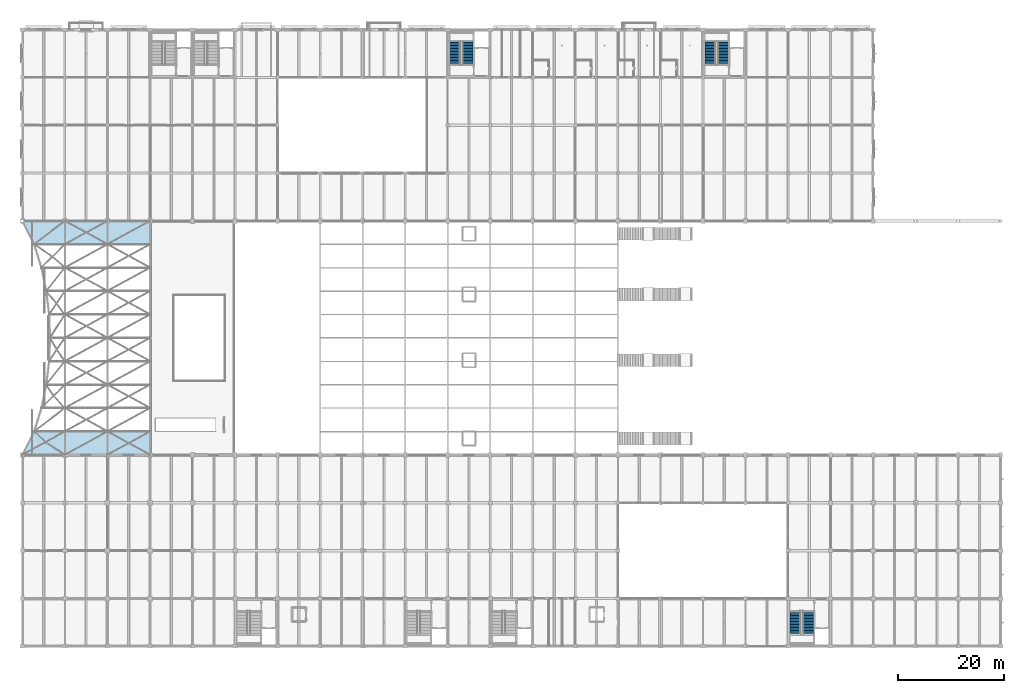
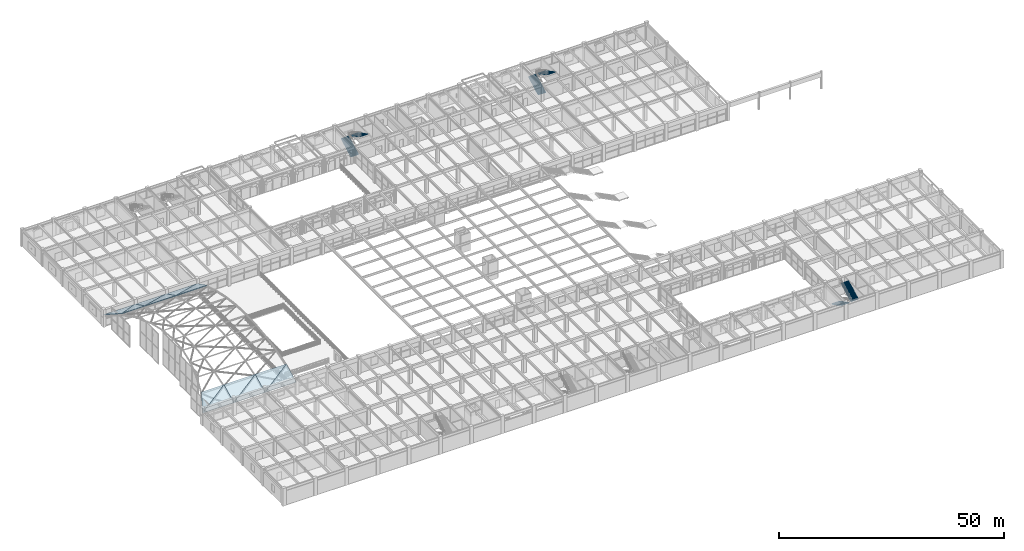
# One storey, part 115 of 144: 12 roofs, 6 stair flights, 3 elements without a shape of their own.
"""IFC4 building model written with IfcOpenShell, lengths in metres."""

from ifc_helpers import new_model, si_unit, direction, frame, origin, place, context, subcontext, project, spatial, polyline, outline, extrude, material, layer, layer_set, type_object, element, aggregate, save


model = new_model("IFC4")

# Units and contexts
model_context = context("Model", 3, precision=1e-05, world=origin(), true_north=direction((0.0, 1.0)))
body_context = subcontext(model_context, "Body", "Model", "MODEL_VIEW")
ifc_project = project(units=[si_unit("LENGTHUNIT", "METRE"), si_unit("AREAUNIT", "SQUARE_METRE"), si_unit("VOLUMEUNIT", "CUBIC_METRE"), si_unit("PLANEANGLEUNIT", "RADIAN"), si_unit("MASSUNIT", "GRAM", prefix="KILO")], contexts=[model_context])

# Site, building, storey
site_placement = place(None, origin())
site = spatial("IfcSite", under=ifc_project, at=site_placement, CompositionType="ELEMENT")
building_placement = place(site_placement, origin())
building = spatial("IfcBuilding", under=site, at=building_placement, Name="Varnabhumi Central Station", CompositionType="ELEMENT")
storey_placement = place(building_placement, frame((0.0, 0.0, 4.800048828125)))
storey = spatial("IfcBuildingStorey", under=building, at=storey_placement, Name="L01", CompositionType="ELEMENT", Elevation=4.800048828125)

# Stair, stair flights
ifc_material_1 = material(Name="Concrete M40", Category="concrete")
stair_type = type_object("IfcStairType", Name="STR-CORE-4800", PredefinedType="DOUBLE_RETURN_STAIR", material=ifc_material_1)
stair_1_placement = place(storey_placement, origin())
stair_1 = element("IfcStair", 1, at=stair_1_placement, inside=storey, type_object=stair_type, Name="Core Stair ST-N2 (L01)", PredefinedType="DOUBLE_RETURN_STAIR")
stair_flight_type = type_object("IfcStairFlightType", Name="FLT-CORE-1500", PredefinedType="STRAIGHT", material=ifc_material_1)
stair_flight_1_placement = place(storey_placement, frame((81.35009765625, 109.340087890625, 0.0), z_axis=(0.0, 0.0, 1.0), x_axis=(0.0, 1.0, 0.0)))
stair_flight_1 = element("IfcStairFlight", 2, at=stair_flight_1_placement, type_object=stair_flight_type, Name="ST-N2 L01 Lower Flight", NumberOfRisers=16, NumberOfTreads=15, PredefinedType="STRAIGHT", RiserHeight=0.15, TreadLength=0.285, context=body_context, shape_type="SweptSolid", body=[
    extrude(outline(polyline([(-0.06005859375, -0.080078125), (-0.06005859375, 0.0), (0.0, 0.0), (0.0, 0.14990234375), (0.284912109375, 0.14990234375), (0.284912109375, 0.300048828125), (0.570068359375, 0.300048828125), (0.570068359375, 0.449951171875), (0.85498046875, 0.449951171875), (0.85498046875, 0.60009765625), (1.139892578125, 0.60009765625), (1.139892578125, 0.75), (1.425048828125, 0.75), (1.425048828125, 0.89990234375), (1.7099609375, 0.89990234375), (1.7099609375, 1.050048828125), (1.9951171875, 1.050048828125), (1.9951171875, 1.199951171875), (2.280029296875, 1.199951171875), (2.280029296875, 1.35009765625), (2.56494140625, 1.35009765625), (2.56494140625, 1.5), (2.85009765625, 1.5), (2.85009765625, 1.64990234375), (3.135009765625, 1.64990234375), (3.135009765625, 1.800048828125), (3.419921875, 1.800048828125), (3.419921875, 1.949951171875), (3.705078125, 1.949951171875), (3.705078125, 2.10009765625), (3.989990234375, 2.10009765625), (3.989990234375, 2.25), (4.27490234375, 2.25), (4.27490234375, 2.39990234375), (4.3349609375, 2.39990234375), (4.3349609375, 2.239990234375), (4.27490234375, 2.0693359375), (0.34326171875, -0.080078125), (-0.06005859375, -0.080078125)])), frame((0.0, 1.0, 0.0), z_axis=(0.0, -1.0, 0.0), x_axis=(1.0, 0.0, 0.0)), (0.0, 0.0, 1.0), 2.0),
])
stair_flight_2_placement = place(storey_placement, frame((83.75, 113.614990234375, 2.39990234375), z_axis=(0.0, 0.0, 1.0), x_axis=(0.0, -1.0, 0.0)))
stair_flight_2 = element("IfcStairFlight", 3, at=stair_flight_2_placement, type_object=stair_flight_type, Name="ST-N2 L01 Upper Flight", NumberOfRisers=16, NumberOfTreads=15, PredefinedType="STRAIGHT", RiserHeight=0.15, TreadLength=0.285, context=body_context, shape_type="SweptSolid", body=[
    extrude(outline(polyline([(-0.06005859375, -0.080078125), (-0.06005859375, 0.0), (0.0, 0.0), (0.0, 0.14990234375), (0.284912109375, 0.14990234375), (0.284912109375, 0.300048828125), (0.570068359375, 0.300048828125), (0.570068359375, 0.449951171875), (0.85498046875, 0.449951171875), (0.85498046875, 0.60009765625), (1.139892578125, 0.60009765625), (1.139892578125, 0.75), (1.425048828125, 0.75), (1.425048828125, 0.89990234375), (1.7099609375, 0.89990234375), (1.7099609375, 1.050048828125), (1.9951171875, 1.050048828125), (1.9951171875, 1.199951171875), (2.280029296875, 1.199951171875), (2.280029296875, 1.35009765625), (2.56494140625, 1.35009765625), (2.56494140625, 1.5), (2.85009765625, 1.5), (2.85009765625, 1.64990234375), (3.135009765625, 1.64990234375), (3.135009765625, 1.800048828125), (3.419921875, 1.800048828125), (3.419921875, 1.949951171875), (3.705078125, 1.949951171875), (3.705078125, 2.10009765625), (3.989990234375, 2.10009765625), (3.989990234375, 2.25), (4.27490234375, 2.25), (4.27490234375, 2.39990234375), (4.3349609375, 2.39990234375), (4.3349609375, 2.239990234375), (4.27490234375, 2.0693359375), (0.34326171875, -0.080078125), (-0.06005859375, -0.080078125)])), frame((0.0, 1.0, 0.0), z_axis=(0.0, -1.0, 0.0), x_axis=(1.0, 0.0, 0.0)), (0.0, 0.0, 1.0), 2.0),
])
aggregate(stair_1, [stair_flight_1, stair_flight_2])

stair_2_placement = place(storey_placement, origin())
stair_2 = element("IfcStair", 4, at=stair_2_placement, inside=storey, type_object=stair_type, Name="Core Stair ST-N3 (L01)", PredefinedType="DOUBLE_RETURN_STAIR")
stair_flight_3_placement = place(storey_placement, frame((129.35009765625, 109.340087890625, 0.0), z_axis=(0.0, 0.0, 1.0), x_axis=(0.0, 1.0, 0.0)))
stair_flight_3 = element("IfcStairFlight", 5, at=stair_flight_3_placement, type_object=stair_flight_type, Name="ST-N3 L01 Lower Flight", NumberOfRisers=16, NumberOfTreads=15, PredefinedType="STRAIGHT", RiserHeight=0.15, TreadLength=0.285, context=body_context, shape_type="SweptSolid", body=[
    extrude(outline(polyline([(-0.06005859375, -0.080078125), (-0.06005859375, 0.0), (0.0, 0.0), (0.0, 0.14990234375), (0.284912109375, 0.14990234375), (0.284912109375, 0.300048828125), (0.570068359375, 0.300048828125), (0.570068359375, 0.449951171875), (0.85498046875, 0.449951171875), (0.85498046875, 0.60009765625), (1.139892578125, 0.60009765625), (1.139892578125, 0.75), (1.425048828125, 0.75), (1.425048828125, 0.89990234375), (1.7099609375, 0.89990234375), (1.7099609375, 1.050048828125), (1.9951171875, 1.050048828125), (1.9951171875, 1.199951171875), (2.280029296875, 1.199951171875), (2.280029296875, 1.35009765625), (2.56494140625, 1.35009765625), (2.56494140625, 1.5), (2.85009765625, 1.5), (2.85009765625, 1.64990234375), (3.135009765625, 1.64990234375), (3.135009765625, 1.800048828125), (3.419921875, 1.800048828125), (3.419921875, 1.949951171875), (3.705078125, 1.949951171875), (3.705078125, 2.10009765625), (3.989990234375, 2.10009765625), (3.989990234375, 2.25), (4.27490234375, 2.25), (4.27490234375, 2.39990234375), (4.3349609375, 2.39990234375), (4.3349609375, 2.239990234375), (4.27490234375, 2.0693359375), (0.34326171875, -0.080078125), (-0.06005859375, -0.080078125)])), frame((0.0, 1.0, 0.0), z_axis=(0.0, -1.0, 0.0), x_axis=(1.0, 0.0, 0.0)), (0.0, 0.0, 1.0), 2.0),
])
stair_flight_4_placement = place(storey_placement, frame((131.75, 113.614990234375, 2.39990234375), z_axis=(0.0, 0.0, 1.0), x_axis=(0.0, -1.0, 0.0)))
stair_flight_4 = element("IfcStairFlight", 6, at=stair_flight_4_placement, type_object=stair_flight_type, Name="ST-N3 L01 Upper Flight", NumberOfRisers=16, NumberOfTreads=15, PredefinedType="STRAIGHT", RiserHeight=0.15, TreadLength=0.285, context=body_context, shape_type="SweptSolid", body=[
    extrude(outline(polyline([(-0.06005859375, -0.080078125), (-0.06005859375, 0.0), (0.0, 0.0), (0.0, 0.14990234375), (0.284912109375, 0.14990234375), (0.284912109375, 0.300048828125), (0.570068359375, 0.300048828125), (0.570068359375, 0.449951171875), (0.85498046875, 0.449951171875), (0.85498046875, 0.60009765625), (1.139892578125, 0.60009765625), (1.139892578125, 0.75), (1.425048828125, 0.75), (1.425048828125, 0.89990234375), (1.7099609375, 0.89990234375), (1.7099609375, 1.050048828125), (1.9951171875, 1.050048828125), (1.9951171875, 1.199951171875), (2.280029296875, 1.199951171875), (2.280029296875, 1.35009765625), (2.56494140625, 1.35009765625), (2.56494140625, 1.5), (2.85009765625, 1.5), (2.85009765625, 1.64990234375), (3.135009765625, 1.64990234375), (3.135009765625, 1.800048828125), (3.419921875, 1.800048828125), (3.419921875, 1.949951171875), (3.705078125, 1.949951171875), (3.705078125, 2.10009765625), (3.989990234375, 2.10009765625), (3.989990234375, 2.25), (4.27490234375, 2.25), (4.27490234375, 2.39990234375), (4.3349609375, 2.39990234375), (4.3349609375, 2.239990234375), (4.27490234375, 2.0693359375), (0.34326171875, -0.080078125), (-0.06005859375, -0.080078125)])), frame((0.0, 1.0, 0.0), z_axis=(0.0, -1.0, 0.0), x_axis=(1.0, 0.0, 0.0)), (0.0, 0.0, 1.0), 2.0),
])
aggregate(stair_2, [stair_flight_3, stair_flight_4])

stair_3_placement = place(storey_placement, origin())
stair_3 = element("IfcStair", 7, at=stair_3_placement, inside=storey, type_object=stair_type, Name="Core Stair ST-S3 (L01)", PredefinedType="DOUBLE_RETURN_STAIR")
stair_flight_5_placement = place(storey_placement, frame((145.35009765625, 6.659912109375, 0.0), z_axis=(0.0, 0.0, 1.0), x_axis=(0.0, -1.0, 0.0)))
stair_flight_5 = element("IfcStairFlight", 8, at=stair_flight_5_placement, type_object=stair_flight_type, Name="ST-S3 L01 Lower Flight", NumberOfRisers=16, NumberOfTreads=15, PredefinedType="STRAIGHT", RiserHeight=0.15, TreadLength=0.285, context=body_context, shape_type="SweptSolid", body=[
    extrude(outline(polyline([(-0.06005859375, -0.080078125), (-0.06005859375, 0.0), (0.0, 0.0), (0.0, 0.14990234375), (0.284912109375, 0.14990234375), (0.284912109375, 0.300048828125), (0.570068359375, 0.300048828125), (0.570068359375, 0.449951171875), (0.85498046875, 0.449951171875), (0.85498046875, 0.60009765625), (1.139892578125, 0.60009765625), (1.139892578125, 0.75), (1.425048828125, 0.75), (1.425048828125, 0.89990234375), (1.7099609375, 0.89990234375), (1.7099609375, 1.050048828125), (1.9951171875, 1.050048828125), (1.9951171875, 1.199951171875), (2.280029296875, 1.199951171875), (2.280029296875, 1.35009765625), (2.56494140625, 1.35009765625), (2.56494140625, 1.5), (2.85009765625, 1.5), (2.85009765625, 1.64990234375), (3.135009765625, 1.64990234375), (3.135009765625, 1.800048828125), (3.419921875, 1.800048828125), (3.419921875, 1.949951171875), (3.705078125, 1.949951171875), (3.705078125, 2.10009765625), (3.989990234375, 2.10009765625), (3.989990234375, 2.25), (4.27490234375, 2.25), (4.27490234375, 2.39990234375), (4.3349609375, 2.39990234375), (4.3349609375, 2.239990234375), (4.27490234375, 2.0693359375), (0.34326171875, -0.080078125), (-0.06005859375, -0.080078125)])), frame((0.0, 1.0, 0.0), z_axis=(0.0, -1.0, 0.0), x_axis=(1.0, 0.0, 0.0)), (0.0, 0.0, 1.0), 2.0),
])
stair_flight_6_placement = place(storey_placement, frame((147.75, 2.385009765625, 2.39990234375), z_axis=(0.0, 0.0, 1.0), x_axis=(0.0, 1.0, 0.0)))
stair_flight_6 = element("IfcStairFlight", 9, at=stair_flight_6_placement, type_object=stair_flight_type, Name="ST-S3 L01 Upper Flight", NumberOfRisers=16, NumberOfTreads=15, PredefinedType="STRAIGHT", RiserHeight=0.15, TreadLength=0.285, context=body_context, shape_type="SweptSolid", body=[
    extrude(outline(polyline([(-0.06005859375, -0.080078125), (-0.06005859375, 0.0), (0.0, 0.0), (0.0, 0.14990234375), (0.284912109375, 0.14990234375), (0.284912109375, 0.300048828125), (0.570068359375, 0.300048828125), (0.570068359375, 0.449951171875), (0.85498046875, 0.449951171875), (0.85498046875, 0.60009765625), (1.139892578125, 0.60009765625), (1.139892578125, 0.75), (1.425048828125, 0.75), (1.425048828125, 0.89990234375), (1.7099609375, 0.89990234375), (1.7099609375, 1.050048828125), (1.9951171875, 1.050048828125), (1.9951171875, 1.199951171875), (2.280029296875, 1.199951171875), (2.280029296875, 1.35009765625), (2.56494140625, 1.35009765625), (2.56494140625, 1.5), (2.85009765625, 1.5), (2.85009765625, 1.64990234375), (3.135009765625, 1.64990234375), (3.135009765625, 1.800048828125), (3.419921875, 1.800048828125), (3.419921875, 1.949951171875), (3.705078125, 1.949951171875), (3.705078125, 2.10009765625), (3.989990234375, 2.10009765625), (3.989990234375, 2.25), (4.27490234375, 2.25), (4.27490234375, 2.39990234375), (4.3349609375, 2.39990234375), (4.3349609375, 2.239990234375), (4.27490234375, 2.0693359375), (0.34326171875, -0.080078125), (-0.06005859375, -0.080078125)])), frame((0.0, 1.0, 0.0), z_axis=(0.0, -1.0, 0.0), x_axis=(1.0, 0.0, 0.0)), (0.0, 0.0, 1.0), 2.0),
])
aggregate(stair_3, [stair_flight_5, stair_flight_6])

# Roofs
ifc_material_2 = material(Name="Champagne bronze diamond metal panel")
ifc_layer = layer(ifc_material_2, 0.159912109375, Name="Champagne bronze diamond metal panel")
ifc_layer_set = layer_set([ifc_layer], Name="Champagne bronze diamond metal panel")
roof_type = type_object("IfcRoofType", Name="ROOF-VAULT-BARREL", PredefinedType="BARREL_ROOF", material=ifc_layer_set)
roof_1_placement = place(storey_placement, frame((0.0, 36.0, 3.191162109375), z_axis=(0.0, -0.449472417037, 0.893294210393), x_axis=(1.0, 0.0, 0.0)))
element("IfcRoof", 10, at=roof_1_placement, inside=storey, type_object=roof_type, Name="Forecourt Arrival Canopy Vault Diamond Shell Panel 1-1A", PredefinedType="BARREL_ROOF", context=body_context, shape_type="SweptSolid", body=[
    extrude(outline(polyline([(0.0, 0.0), (8.0, 0.0), (8.0, 4.925479525734109), (0.0, 0.0)])), origin(), (0.0, 0.0, -1.0), 0.159912109375),
])
roof_2_placement = place(storey_placement, frame((0.0, 36.0, 3.191162109375), z_axis=(0.0, -0.449472417037, 0.893294210393), x_axis=(0.851544146337, 0.468338885659, 0.235650705535)))
element("IfcRoof", 11, at=roof_2_placement, inside=storey, type_object=roof_type, Name="Forecourt Arrival Canopy Vault Diamond Shell Panel 1-1B", PredefinedType="BARREL_ROOF", context=body_context, shape_type="SweptSolid", body=[
    extrude(outline(polyline([(0.0, 0.0), (9.394697896070204, 4.440892098500626e-16), (4.4675503696593015, 3.0335705327010447), (0.0, 0.0)])), origin(), (0.0, 0.0, -1.0), 0.159912109375),
])
roof_3_placement = place(storey_placement, frame((2.2138671875, 75.60009765625, 5.405029296875), z_axis=(0.0, 0.449472417037, 0.893294210393), x_axis=(1.0, 0.0, 0.0)))
element("IfcRoof", 12, at=roof_3_placement, inside=storey, type_object=roof_type, Name="Forecourt Arrival Canopy Vault Diamond Shell Panel 1-10A", PredefinedType="BARREL_ROOF", context=body_context, shape_type="SweptSolid", body=[
    extrude(outline(polyline([(0.0, 0.0), (5.7861328125, 0.0), (5.7861328125, 4.925479525734109), (0.0, 0.0)])), origin(), (0.0, 0.0, -1.0), 0.159912109375),
])
roof_4_placement = place(storey_placement, frame((2.2138671875, 75.60009765625, 5.405029296875), z_axis=(0.0, 0.449472417037, 0.893294210393), x_axis=(0.761467209105, 0.579036373101, -0.291349563383)))
element("IfcRoof", 13, at=roof_4_placement, inside=storey, type_object=roof_type, Name="Forecourt Arrival Canopy Vault Diamond Shell Panel 1-10B", PredefinedType="BARREL_ROOF", context=body_context, shape_type="SweptSolid", body=[
    extrude(outline(polyline([(0.0, 0.0), (7.598663137836488, 2.220446049250313e-16), (1.506925464993743, 5.185627457238753), (0.0, 0.0)])), origin(), (0.0, 0.0, -1.0), 0.159912109375),
])
roof_5_placement = place(storey_placement, frame((8.0, 36.0, 3.191162109375), z_axis=(0.0, -0.449472417037, 0.893294210393), x_axis=(1.0, 0.0, 0.0)))
element("IfcRoof", 14, at=roof_5_placement, inside=storey, type_object=roof_type, Name="Forecourt Arrival Canopy Vault Diamond Shell Panel 2-1A", PredefinedType="BARREL_ROOF", context=body_context, shape_type="SweptSolid", body=[
    extrude(outline(polyline([(0.0, 0.0), (8.0, 0.0), (8.0, 4.925479525734109), (0.0, 0.0)])), origin(), (0.0, 0.0, -1.0), 0.159912109375),
])
roof_6_placement = place(storey_placement, frame((8.0, 36.0, 3.191162109375), z_axis=(0.0, -0.449472417037, 0.893294210393), x_axis=(0.851544146337, 0.468338885659, 0.235650705535)))
element("IfcRoof", 15, at=roof_6_placement, inside=storey, type_object=roof_type, Name="Forecourt Arrival Canopy Vault Diamond Shell Panel 2-1B", PredefinedType="BARREL_ROOF", context=body_context, shape_type="SweptSolid", body=[
    extrude(outline(polyline([(0.0, 0.0), (9.394697896070204, 4.440892098500626e-16), (2.582344725376853, 4.194263258039992), (0.0, 0.0)])), origin(), (0.0, 0.0, -1.0), 0.159912109375),
])
roof_7_placement = place(storey_placement, frame((8.0, 75.60009765625, 5.405029296875), z_axis=(0.0, 0.449472417037, 0.893294210393), x_axis=(1.0, 0.0, 0.0)))
element("IfcRoof", 16, at=roof_7_placement, inside=storey, type_object=roof_type, Name="Forecourt Arrival Canopy Vault Diamond Shell Panel 2-10A", PredefinedType="BARREL_ROOF", context=body_context, shape_type="SweptSolid", body=[
    extrude(outline(polyline([(0.0, 0.0), (8.0, 0.0), (8.0, 4.925479525734109), (0.0, 0.0)])), origin(), (0.0, 0.0, -1.0), 0.159912109375),
])
roof_8_placement = place(storey_placement, frame((8.0, 75.60009765625, 5.405029296875), z_axis=(0.0, 0.449472417037, 0.893294210393), x_axis=(0.851544146337, 0.468338885659, -0.235650705535)))
element("IfcRoof", 17, at=roof_8_placement, inside=storey, type_object=roof_type, Name="Forecourt Arrival Canopy Vault Diamond Shell Panel 2-10B", PredefinedType="BARREL_ROOF", context=body_context, shape_type="SweptSolid", body=[
    extrude(outline(polyline([(0.0, 0.0), (9.394697896070204, 4.440892098500626e-16), (2.582344725376853, 4.194263258039992), (0.0, 0.0)])), origin(), (0.0, 0.0, -1.0), 0.159912109375),
])
roof_9_placement = place(storey_placement, frame((16.0, 36.0, 3.191162109375), z_axis=(0.0, -0.449472417037, 0.893294210393), x_axis=(1.0, 0.0, 0.0)))
element("IfcRoof", 18, at=roof_9_placement, inside=storey, type_object=roof_type, Name="Forecourt Arrival Canopy Vault Diamond Shell Panel 3-1A", PredefinedType="BARREL_ROOF", context=body_context, shape_type="SweptSolid", body=[
    extrude(outline(polyline([(0.0, 0.0), (8.0, 0.0), (8.0, 4.925479525734109), (0.0, 0.0)])), origin(), (0.0, 0.0, -1.0), 0.159912109375),
])
roof_10_placement = place(storey_placement, frame((16.0, 36.0, 3.191162109375), z_axis=(0.0, -0.449472417037, 0.893294210393), x_axis=(0.851544146337, 0.468338885659, 0.235650705535)))
element("IfcRoof", 19, at=roof_10_placement, inside=storey, type_object=roof_type, Name="Forecourt Arrival Canopy Vault Diamond Shell Panel 3-1B", PredefinedType="BARREL_ROOF", context=body_context, shape_type="SweptSolid", body=[
    extrude(outline(polyline([(0.0, 0.0), (9.394697896070204, 4.440892098500626e-16), (2.582344725376853, 4.194263258039992), (0.0, 0.0)])), origin(), (0.0, 0.0, -1.0), 0.159912109375),
])
roof_11_placement = place(storey_placement, frame((16.0, 75.60009765625, 5.405029296875), z_axis=(0.0, 0.449472417037, 0.893294210393), x_axis=(1.0, 0.0, 0.0)))
element("IfcRoof", 20, at=roof_11_placement, inside=storey, type_object=roof_type, Name="Forecourt Arrival Canopy Vault Diamond Shell Panel 3-10A", PredefinedType="BARREL_ROOF", context=body_context, shape_type="SweptSolid", body=[
    extrude(outline(polyline([(0.0, 0.0), (8.0, 0.0), (8.0, 4.925479525734109), (0.0, 0.0)])), origin(), (0.0, 0.0, -1.0), 0.159912109375),
])
roof_12_placement = place(storey_placement, frame((16.0, 75.60009765625, 5.405029296875), z_axis=(0.0, 0.449472417037, 0.893294210393), x_axis=(0.851544146337, 0.468338885659, -0.235650705535)))
element("IfcRoof", 21, at=roof_12_placement, inside=storey, type_object=roof_type, Name="Forecourt Arrival Canopy Vault Diamond Shell Panel 3-10B", PredefinedType="BARREL_ROOF", context=body_context, shape_type="SweptSolid", body=[
    extrude(outline(polyline([(0.0, 0.0), (9.394697896070204, 4.440892098500626e-16), (2.582344725376853, 4.194263258039992), (0.0, 0.0)])), origin(), (0.0, 0.0, -1.0), 0.159912109375),
])

save(model, "model.ifc")
